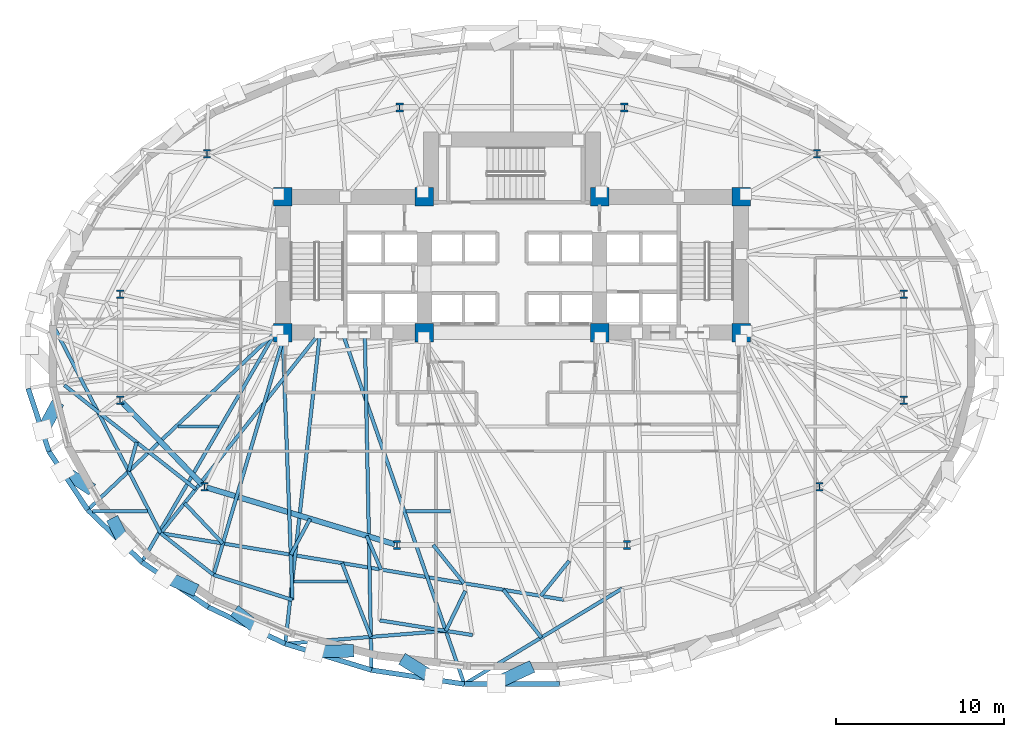
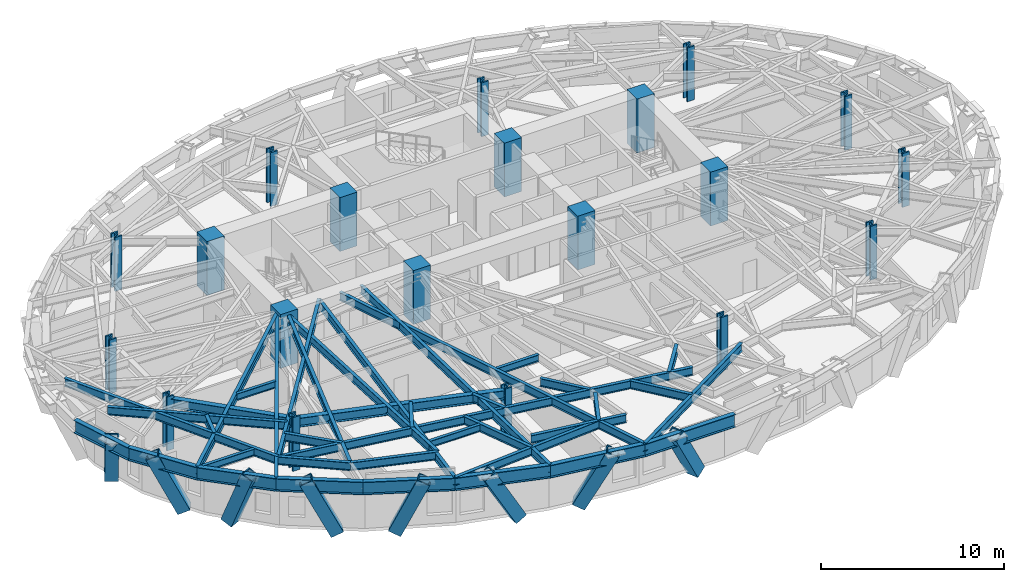
# One storey, part 1 of 14: 39 beams, 20 columns, 8 members.
"""IFC4 building model written with IfcOpenShell, lengths in metres."""

import ifcopenshell
import ifcopenshell.guid

model = None  # the IFC model being written
_history = None  # IfcOwnerHistory: only IFC2X3 demands one
_inside = {}  # id of a spatial element -> (the spatial element, [elements in it])
_under = {}  # id of a project, library or spatial element -> (it, [spatial elements below it])
_declared = {}  # id of a project -> (the project, [libraries it declares])
_typed = {}  # id of a type object -> (the type object, [elements of that type])
_made_of = {}  # id of a material, layer set ... -> (it, [elements and type objects made of it])


def new_model(schema):
    """Start an empty IFC model of exactly this schema.

    Asked for "IFC4X3", IfcOpenShell would pick the latest addendum, in which some entities
    have other attributes; the version numbers below select the first issue.
    IFC2X3 requires an IfcOwnerHistory on every rooted entity: one is made here for all.
    """
    global model, _history
    if schema == "IFC4X3":
        model = ifcopenshell.file(schema_version=(4, 3, 0, 0))
    else:
        model = ifcopenshell.file(schema=schema)
    _inside.clear()
    _under.clear()
    _declared.clear()
    _typed.clear()
    _made_of.clear()
    _history = None
    if model.schema == "IFC2X3":
        org = make("IfcOrganization", Name="unknown")
        user = make(
            "IfcPersonAndOrganization",
            ThePerson=make("IfcPerson", FamilyName="unknown"),
            TheOrganization=org,
        )
        app = make(
            "IfcApplication",
            ApplicationDeveloper=org,
            Version="unknown",
            ApplicationFullName="unknown",
            ApplicationIdentifier="unknown",
        )
        _history = make(
            "IfcOwnerHistory",
            OwningUser=user,
            OwningApplication=app,
            ChangeAction="ADDED",
            CreationDate=0,
        )
    return model


def make(cls, **values):
    """One entity of the class cls with the attributes given. An attribute that is None is left unset."""
    return model.create_entity(
        cls, **{name: value for name, value in values.items() if value is not None}
    )


def rooted(cls, **values):
    """An entity with a GlobalId (a new one), such as an element, a storey or a relation."""
    return make(cls, GlobalId=ifcopenshell.guid.new(), OwnerHistory=_history, **values)


def si_unit(unit_type, name, prefix=None):
    """IfcSIUnit, for example si_unit("LENGTHUNIT", "METRE", prefix="MILLI")."""
    return make("IfcSIUnit", UnitType=unit_type, Prefix=prefix, Name=name)


def assignment(units):
    """IfcUnitAssignment: the units of a project."""
    return None if units is None else make("IfcUnitAssignment", Units=units)


def point(xyz):
    """IfcCartesianPoint."""
    return None if xyz is None else make("IfcCartesianPoint", Coordinates=xyz)


def direction(xyz):
    """IfcDirection."""
    return None if xyz is None else make("IfcDirection", DirectionRatios=xyz)


def frame(location, z_axis=None, x_axis=None):
    """IfcAxis2Placement3D, a coordinate frame: its origin and axes. An axis left out is left unset."""
    return make(
        "IfcAxis2Placement3D",
        Location=point(location),
        Axis=direction(z_axis),
        RefDirection=direction(x_axis),
    )


def frame_2d(location, x_axis=None):
    """IfcAxis2Placement2D, a coordinate frame in the plane: its origin and x axis."""
    return make(
        "IfcAxis2Placement2D", Location=point(location), RefDirection=direction(x_axis)
    )


def origin():
    """The frame at (0, 0, 0) with its axes left unset."""
    return frame((0.0, 0.0, 0.0))


def origin_2d():
    """The frame at (0, 0) in the plane with its x axis left unset."""
    return frame_2d((0.0, 0.0))


def place(relative_to, where):
    """IfcLocalPlacement: puts the frame where relative to a parent placement (None: the world)."""
    return make(
        "IfcLocalPlacement", PlacementRelTo=relative_to, RelativePlacement=where
    )


def context(
    kind, dimensions, precision=None, world=None, true_north=None, identifier=None
):
    """IfcGeometricRepresentationContext, for example the 3D "Model" context."""
    return make(
        "IfcGeometricRepresentationContext",
        ContextIdentifier=identifier,
        ContextType=kind,
        CoordinateSpaceDimension=dimensions,
        Precision=precision,
        WorldCoordinateSystem=world,
        TrueNorth=true_north,
    )


def subcontext(parent, identifier, kind, view, scale=None):
    """IfcGeometricRepresentationSubContext, for example "Body" below "Model"."""
    return make(
        "IfcGeometricRepresentationSubContext",
        ContextIdentifier=identifier,
        ContextType=kind,
        ParentContext=parent,
        TargetScale=scale,
        TargetView=view,
    )


def project(units=None, contexts=None):
    """IfcProject with its units and contexts."""
    return rooted(
        "IfcProject",
        Name="project",
        RepresentationContexts=contexts,
        UnitsInContext=assignment(units),
    )


def spatial(cls, under=None, at=None, **own):
    """A site, building, storey or space (cls), placed at a placement, below another one or the project."""
    s = rooted(cls, ObjectPlacement=at, **own)
    if under is not None:
        _under.setdefault(under.id(), (under, []))[1].append(s)
    return s


def profile(cls, at=None, kind="AREA", **sizes):
    """A parametric profile (cls). Its sizes go by their IFC names, for example OverallWidth=200.0."""
    return make(cls, ProfileType=kind, Position=at, **sizes)


def rectangle(**sizes):
    """IfcRectangleProfileDef."""
    return profile("IfcRectangleProfileDef", **sizes)


def hollow_rectangle(**sizes):
    """IfcRectangleHollowProfileDef."""
    return profile("IfcRectangleHollowProfileDef", **sizes)


def i_section(**sizes):
    """IfcIShapeProfileDef."""
    return profile("IfcIShapeProfileDef", **sizes)


def extrude(swept, where, along, depth):
    """IfcExtrudedAreaSolid: the profile swept, set in the frame where, extruded along a direction by depth."""
    return make(
        "IfcExtrudedAreaSolid",
        SweptArea=swept,
        Position=where,
        ExtrudedDirection=direction(along),
        Depth=depth,
    )


def shape(context_of_items, identifier, shape_type, items):
    """IfcShapeRepresentation: the items that make up one representation, for example the "Body"."""
    return make(
        "IfcShapeRepresentation",
        ContextOfItems=context_of_items,
        RepresentationIdentifier=identifier,
        RepresentationType=shape_type,
        Items=items,
    )


def material(Name=None, Category=None):
    """IfcMaterial."""
    return make("IfcMaterial", Name=Name, Category=Category)


def material_profile(
    of_material, cross_section, Name=None, Category=None, Priority=None
):
    """IfcMaterialProfile: a cross section and its material."""
    return make(
        "IfcMaterialProfile",
        Name=Name,
        Material=of_material,
        Profile=cross_section,
        Priority=Priority,
        Category=Category,
    )


def profile_set(profiles, Name=None, composite=None):
    """IfcMaterialProfileSet."""
    return make(
        "IfcMaterialProfileSet",
        Name=Name,
        MaterialProfiles=profiles,
        CompositeProfile=composite,
    )


def made_of(thing, what):
    """Note that an element or type object is made of a material, layer set ...; save() writes the relation."""
    if what is not None:
        _made_of.setdefault(what.id(), (what, []))[1].append(thing)
    return thing


def type_object(cls, material=None, **own):
    """A type object (cls), such as IfcWallType, which elements share."""
    return made_of(rooted(cls, **own), material)


def element(
    cls,
    number,
    at=None,
    inside=None,
    cuts=None,
    type_object=None,
    material=None,
    context=None,
    identifier="Body",
    shape_type=None,
    held_by="IfcProductDefinitionShape",
    body=None,
    shapes=None,
    **own,
):
    """One element of the class cls, such as IfcWall. Its Tag is "e" and its number.

    at: its placement. inside: the storey or other place that contains it. cuts: it is an
    opening in that element (IfcRelVoidsElement). A single representation is given by context,
    identifier, shape_type and body (its items); several are given by shapes. held_by: the class
    of the entity that holds the representations. save() writes the other relations.
    """
    e = rooted(cls, Tag="e%d" % number, ObjectPlacement=at, **own)
    if body is not None:
        shapes = [shape(context, identifier, shape_type, body)]
    if shapes is not None:
        e.Representation = make(held_by, Representations=shapes)
    if inside is not None:
        _inside.setdefault(inside.id(), (inside, []))[1].append(e)
    if cuts is not None:
        rooted(
            "IfcRelVoidsElement", RelatingBuildingElement=cuts, RelatedOpeningElement=e
        )
    if type_object is not None:
        _typed.setdefault(type_object.id(), (type_object, []))[1].append(e)
    return made_of(e, material)


def aggregate(whole, parts):
    """IfcRelAggregates: a whole, such as a stair, and the parts it consists of."""
    return rooted("IfcRelAggregates", RelatingObject=whole, RelatedObjects=parts)


def save(model, path):
    """Write the relations noted so far, then the file.

    IfcRelAggregates (storeys below a building ...), IfcRelContainedInSpatialStructure (elements
    in a storey), IfcRelDefinesByType, IfcRelAssociatesMaterial and IfcRelDeclares: one each for
    every whole, place, type object, material and project.
    """
    for whole, parts in _under.values():
        aggregate(whole, parts)
    for where, things in _inside.values():
        rooted(
            "IfcRelContainedInSpatialStructure",
            RelatedElements=things,
            RelatingStructure=where,
        )
    for kind, things in _typed.values():
        rooted("IfcRelDefinesByType", RelatedObjects=things, RelatingType=kind)
    for what, things in _made_of.values():
        rooted("IfcRelAssociatesMaterial", RelatedObjects=things, RelatingMaterial=what)
    for by, libraries in _declared.values():
        rooted("IfcRelDeclares", RelatingContext=by, RelatedDefinitions=libraries)
    model.write(path)


model = new_model("IFC4")

# Units and contexts
model_context = context("Model", 3, precision=1e-05, world=origin(), true_north=direction((0.0, 1.0)))
body_context = subcontext(model_context, "Body", "Model", "MODEL_VIEW")
ifc_project = project(units=[si_unit("LENGTHUNIT", "METRE"), si_unit("AREAUNIT", "SQUARE_METRE"), si_unit("VOLUMEUNIT", "CUBIC_METRE"), si_unit("PLANEANGLEUNIT", "RADIAN"), si_unit("MASSUNIT", "GRAM", prefix="KILO")], contexts=[model_context])

# Site, building, storey
site_placement = place(None, origin())
site = spatial("IfcSite", under=ifc_project, at=site_placement, CompositionType="ELEMENT")
building_placement = place(site_placement, origin())
building = spatial("IfcBuilding", under=site, at=building_placement, Name="Keldmark Tower", CompositionType="ELEMENT")
storey_placement = place(building_placement, frame((0.0, 0.0, 52.199951171875)))
storey = spatial("IfcBuildingStorey", under=building, at=storey_placement, Name="L13", CompositionType="ELEMENT", Elevation=52.199951171875)

# Columns
ifc_material_1 = material(Name="Concrete C70/85", Category="concrete")
ifc_material_profile_1 = material_profile(ifc_material_1, rectangle(XDim=1.10009765625, YDim=1.10009765625, at=origin_2d()), Name="RC1100X1100")
ifc_profile_set_1 = profile_set([ifc_material_profile_1], Name="Concrete C70/85")
column_type_1 = type_object("IfcColumnType", Name="Core Boundary Column RC1100", PredefinedType="COLUMN", material=ifc_profile_set_1)
for number, where, z_axis, x_axis, name in (
    (1, (-13.60009765625, 1.39990234375, 0.0), (0.0, 0.0, 1.0), (1.0, 0.0, 0.0), "L13 Core Boundary Column CC-W1"),
    (2, (-13.60009765625, 9.449951171875, 0.0), (0.0, 0.0, 1.0), (1.0, 0.0, 0.0), "L13 Core Boundary Column CC-W2"),
    (3, (-5.199951171875, 1.39990234375, 0.0), (0.0, 0.0, 1.0), (1.0, 0.0, 0.0), "L13 Core Boundary Column CC-W3"),
    (4, (-5.199951171875, 9.449951171875, 0.0), (0.0, 0.0, 1.0), (1.0, 0.0, 0.0), "L13 Core Boundary Column CC-W4"),
    (5, (5.199951171875, 1.39990234375, 0.0), (0.0, 0.0, 1.0), (1.0, 0.0, 0.0), "L13 Core Boundary Column CC-E1"),
    (6, (5.199951171875, 9.449951171875, 0.0), (0.0, 0.0, 1.0), (1.0, 0.0, 0.0), "L13 Core Boundary Column CC-E2"),
    (7, (13.60009765625, 1.39990234375, 0.0), (0.0, 0.0, 1.0), (1.0, 0.0, 0.0), "L13 Core Boundary Column CC-E3"),
    (8, (13.60009765625, 9.449951171875, 0.0), (0.0, 0.0, 1.0), (1.0, 0.0, 0.0), "L13 Core Boundary Column CC-E4"),
):
    element("IfcColumn", number, at=place(storey_placement, frame(where, z_axis=z_axis, x_axis=x_axis)), inside=storey, type_object=column_type_1, Name=name, PredefinedType="COLUMN", context=body_context, shape_type="SweptSolid", body=[
        extrude(rectangle(XDim=1.10009765625, YDim=1.10009765625, at=origin_2d()), origin(), (0.0, 0.0, 1.0), 3.60009765625),
    ])
ifc_material_2 = material(Name="Steel ASTM A992 Grade 50", Category="steel")
ifc_material_profile_2 = material_profile(ifc_material_2, i_section(OverallWidth=0.43701171875, OverallDepth=0.513916015625, WebThickness=0.060546875, FlangeThickness=0.096923828125, at=origin_2d()), Name="W14X550")
ifc_profile_set_2 = profile_set([ifc_material_profile_2], Name="Steel ASTM A992 Grade 50")
column_type_2 = type_object("IfcColumnType", Name="Tower Gravity Column W14X550", PredefinedType="COLUMN", material=ifc_profile_set_2)
for number, where, z_axis, x_axis, name in (
    (9, (23.25390625, 3.67724609375, 0.0), (0.0, 0.0, 1.0), (1.0, 0.0, 0.0), "L13 Tower Gravity Column TC-E1"),
    (10, (18.09765625, 12.00732421875, 0.0), (0.0, 0.0, 1.0), (1.0, 0.0, 0.0), "L13 Tower Gravity Column TC-E4"),
    (11, (6.6650390625, 14.760009765625, 0.0), (0.0, 0.0, 1.0), (1.0, 0.0, 0.0), "L13 Tower Gravity Column TC-N2"),
    (12, (-6.6650390625, 14.760009765625, 0.0), (0.0, 0.0, 1.0), (1.0, 0.0, 0.0), "L13 Tower Gravity Column TC-N1"),
    (13, (-18.09765625, 12.00732421875, 0.0), (0.0, 0.0, 1.0), (1.0, 0.0, 0.0), "L13 Tower Gravity Column TC-W4"),
    (14, (-23.25390625, 3.67724609375, 0.0), (0.0, 0.0, 1.0), (1.0, 0.0, 0.0), "L13 Tower Gravity Column TC-W1"),
    (15, (-23.25390625, -2.61328125, 0.0), (0.0, 0.0, 1.0), (1.0, 0.0, 0.0), "L13 Tower Gravity Column TC-W5"),
    (16, (-18.252685546875, -7.755615234375, 0.0), (0.0, 0.0, 1.0), (1.0, 0.0, 0.0), "L13 Tower Gravity Column TC-W2"),
    (17, (-6.822021484375, -11.205810546875, 0.0), (0.0, 0.0, 1.0), (1.0, 0.0, 0.0), "L13 Tower Gravity Column TC-W3"),
    (18, (6.822021484375, -11.205810546875, 0.0), (0.0, 0.0, 1.0), (1.0, 0.0, 0.0), "L13 Tower Gravity Column TC-E3"),
    (19, (18.252685546875, -7.755615234375, 0.0), (0.0, 0.0, 1.0), (1.0, 0.0, 0.0), "L13 Tower Gravity Column TC-E2"),
    (20, (23.25390625, -2.61328125, 0.0), (0.0, 0.0, 1.0), (1.0, 0.0, 0.0), "L13 Tower Gravity Column TC-E5"),
):
    element("IfcColumn", number, at=place(storey_placement, frame(where, z_axis=z_axis, x_axis=x_axis)), inside=storey, type_object=column_type_2, Name=name, PredefinedType="COLUMN", context=body_context, shape_type="SweptSolid", body=[
        extrude(i_section(OverallWidth=0.43701171875, OverallDepth=0.513916015625, WebThickness=0.060546875, FlangeThickness=0.096923828125, at=origin_2d()), origin(), (0.0, 0.0, 1.0), 3.60009765625),
    ])

# Beams
ifc_material_3 = material(Name="Steel ASTM A992 Grade 50", Category="steel")
ifc_material_profile_3 = material_profile(ifc_material_3, i_section(OverallWidth=0.19091796875, OverallDepth=0.45703125, WebThickness=0.009033203125, FlangeThickness=0.014404296875, at=origin_2d()), Name="W18X50")
ifc_profile_set_3 = profile_set([ifc_material_profile_3], Name="Steel ASTM A992 Grade 50")
beam_type_1 = type_object("IfcBeamType", Name="Composite Floor Joist W18X50", PredefinedType="JOIST", material=ifc_profile_set_3)
beam_1_placement = place(storey_placement, frame((-12.948486328125, -13.3798828125, 3.171630859375), z_axis=(1.0, 0.0, 0.0), x_axis=(0.0, 1.0, 0.0)))
element("IfcBeam", 21, at=beam_1_placement, inside=storey, type_object=beam_type_1, Name="L13 Composite Floor Joist J01", PredefinedType="JOIST", context=body_context, shape_type="SweptSolid", body=[
    extrude(i_section(OverallWidth=0.19091796875, OverallDepth=0.45703125, WebThickness=0.009033203125, FlangeThickness=0.014404296875, at=origin_2d()), origin(), (0.0, 0.0, 1.0), 3.189697265625),
])
beam_2_placement = place(storey_placement, frame((-24.8974609375, -9.199951171875, 3.171630859375), z_axis=(1.0, 0.0, 0.0), x_axis=(0.0, 1.0, 0.0)))
element("IfcBeam", 22, at=beam_2_placement, inside=storey, type_object=beam_type_1, Name="L13 Composite Floor Joist J03", PredefinedType="JOIST", context=body_context, shape_type="SweptSolid", body=[
    extrude(i_section(OverallWidth=0.19091796875, OverallDepth=0.45703125, WebThickness=0.009033203125, FlangeThickness=0.014404296875, at=origin_2d()), origin(), (0.0, 0.0, 1.0), 3.263916015625),
])
beam_3_placement = place(storey_placement, frame((-6.2861328125, -9.199951171875, 3.171630859375), z_axis=(1.0, 0.0, 0.0), x_axis=(0.0, 1.0, 0.0)))
element("IfcBeam", 23, at=beam_3_placement, inside=storey, type_object=beam_type_1, Name="L13 Composite Floor Joist J04", PredefinedType="JOIST", context=body_context, shape_type="SweptSolid", body=[
    extrude(i_section(OverallWidth=0.19091796875, OverallDepth=0.45703125, WebThickness=0.009033203125, FlangeThickness=0.014404296875, at=origin_2d()), origin(), (0.0, 0.0, 1.0), 2.643310546875),
])
beam_4_placement = place(storey_placement, frame((-19.80859375, -4.179931640625, 3.171630859375), z_axis=(1.0, 0.0, 0.0), x_axis=(0.0, 1.0, 0.0)))
element("IfcBeam", 24, at=beam_4_placement, inside=storey, type_object=beam_type_1, Name="L13 Composite Floor Joist J07", PredefinedType="JOIST", context=body_context, shape_type="SweptSolid", body=[
    extrude(i_section(OverallWidth=0.19091796875, OverallDepth=0.45703125, WebThickness=0.009033203125, FlangeThickness=0.014404296875, at=origin_2d()), origin(), (0.0, 0.0, 1.0), 2.404296875),
])

# Members
ifc_material_4 = material(Name="Steel ASTM A572 Grade 50", Category="steel")
ifc_material_profile_4 = material_profile(ifc_material_4, hollow_rectangle(XDim=0.75, YDim=0.75, WallThickness=0.06494140625, at=origin_2d()), Name="BOX750X750X65")
ifc_profile_set_4 = profile_set([ifc_material_profile_4], Name="Steel ASTM A572 Grade 50")
member_type = type_object("IfcMemberType", Name="Diagrid Lower Brace BOX750X750X65", PredefinedType="BRACE", material=ifc_profile_set_4)
member_1_placement = place(storey_placement, frame((-27.096923828125, -3.034423828125, -0.280029296875), z_axis=(-0.189536381637, -0.351789582634, 0.916689723727), x_axis=(0.880354888645, -0.474315580641, 0.0)))
element("IfcMember", 25, at=member_1_placement, inside=storey, type_object=member_type, Name="L13 Perimeter Diagrid Brace 09A", PredefinedType="BRACE", context=body_context, shape_type="SweptSolid", body=[
    extrude(hollow_rectangle(XDim=0.75, YDim=0.75, WallThickness=0.06494140625, at=origin_2d()), origin(), (0.0, 0.0, 1.0), 3.883544921875),
])
member_2_placement = place(storey_placement, frame((-25.1943359375, -7.742919921875, -0.280029296875), z_axis=(-0.368803550198, 0.240101025584, 0.897961824843), x_axis=(-0.545593185279, -0.838050163282, 0.0)))
element("IfcMember", 26, at=member_2_placement, inside=storey, type_object=member_type, Name="L13 Perimeter Diagrid Brace 09B", PredefinedType="BRACE", context=body_context, shape_type="SweptSolid", body=[
    extrude(hollow_rectangle(XDim=0.75, YDim=0.75, WallThickness=0.06494140625, at=origin_2d()), origin(), (0.0, 0.0, 1.0), 3.964599609375),
])
member_3_placement = place(storey_placement, frame((-23.576904296875, -9.93115234375, -0.280029296875), z_axis=(0.155865611228, -0.322105186721, 0.933784857408), x_axis=(0.900150197783, 0.43557963845, 0.0)))
element("IfcMember", 27, at=member_3_placement, inside=storey, type_object=member_type, Name="L13 Perimeter Diagrid Brace 10A", PredefinedType="BRACE", context=body_context, shape_type="SweptSolid", body=[
    extrude(hollow_rectangle(XDim=0.75, YDim=0.75, WallThickness=0.06494140625, at=origin_2d()), origin(), (0.0, 0.0, 1.0), 3.8125),
])
member_4_placement = place(storey_placement, frame((-19.035400390625, -13.769775390625, -0.280029296875), z_axis=(-0.397182424478, 0.176573558013, 0.900593082528), x_axis=(-0.406230748204, -0.913770528751, 0.0)))
element("IfcMember", 28, at=member_4_placement, inside=storey, type_object=member_type, Name="L13 Perimeter Diagrid Brace 10B", PredefinedType="BRACE", context=body_context, shape_type="SweptSolid", body=[
    extrude(hollow_rectangle(XDim=0.75, YDim=0.75, WallThickness=0.06494140625, at=origin_2d()), origin(), (0.0, 0.0, 1.0), 3.953125),
])
member_5_placement = place(storey_placement, frame((-16.2041015625, -15.302490234375, -0.280029296875), z_axis=(0.323129547502, -0.254240253374, 0.911564144258), x_axis=(0.618351877126, 0.785901365347, 0.0)))
element("IfcMember", 29, at=member_5_placement, inside=storey, type_object=member_type, Name="L13 Perimeter Diagrid Brace 11A", PredefinedType="BRACE", context=body_context, shape_type="SweptSolid", body=[
    extrude(hollow_rectangle(XDim=0.75, YDim=0.75, WallThickness=0.06494140625, at=origin_2d()), origin(), (0.0, 0.0, 1.0), 3.905517578125),
])
member_6_placement = place(storey_placement, frame((-9.722900390625, -17.493896484375, -0.280029296875), z_axis=(-0.489628303368, -0.010164465939, 0.871872013642), x_axis=(0.020755083686, -0.99978459005, 0.0)))
element("IfcMember", 30, at=member_6_placement, inside=storey, type_object=member_type, Name="L13 Perimeter Diagrid Brace 11B", PredefinedType="BRACE", context=body_context, shape_type="SweptSolid", body=[
    extrude(hollow_rectangle(XDim=0.75, YDim=0.75, WallThickness=0.06494140625, at=origin_2d()), origin(), (0.0, 0.0, 1.0), 4.083251953125),
])
member_7_placement = place(storey_placement, frame((-6.251220703125, -18.134765625, -0.280029296875), z_axis=(0.398182214042, -0.246773608915, 0.883489507784), x_axis=(0.526786444892, 0.849997671454, 0.0)))
element("IfcMember", 31, at=member_7_placement, inside=storey, type_object=member_type, Name="L13 Perimeter Diagrid Brace 12A", PredefinedType="BRACE", context=body_context, shape_type="SweptSolid", body=[
    extrude(hollow_rectangle(XDim=0.75, YDim=0.75, WallThickness=0.06494140625, at=origin_2d()), origin(), (0.0, 0.0, 1.0), 4.029541015625),
])
member_8_placement = place(storey_placement, frame((0.90771484375, -18.551513671875, -0.280029296875), z_axis=(-0.449940168871, -0.208264827339, 0.868435147913), x_axis=(0.420055790164, -0.907498282725, 0.0)))
element("IfcMember", 32, at=member_8_placement, inside=storey, type_object=member_type, Name="L13 Perimeter Diagrid Brace 12B", PredefinedType="BRACE", context=body_context, shape_type="SweptSolid", body=[
    extrude(hollow_rectangle(XDim=0.75, YDim=0.75, WallThickness=0.06494140625, at=origin_2d()), origin(), (0.0, 0.0, 1.0), 4.099365234375),
])

# Beams
ifc_material_5 = material(Name="Steel ASTM A992 Grade 50", Category="steel")
ifc_material_profile_5 = material_profile(ifc_material_5, i_section(OverallWidth=0.323974609375, OverallDepth=0.611083984375, WebThickness=0.0126953125, FlangeThickness=0.01904296875, at=origin_2d()), Name="W24X104")
ifc_profile_set_5 = profile_set([ifc_material_profile_5], Name="Steel ASTM A992 Grade 50")
beam_type_2 = type_object("IfcBeamType", Name="Primary Floor Girder W24X104", PredefinedType="BEAM", material=ifc_profile_set_5)
beam_5_placement = place(storey_placement, frame((-23.156494140625, -2.713623046875, 3.094482421875), z_axis=(0.697210382268, -0.716866572563, 0.0), x_axis=(0.716866572563, 0.697210382268, 0.0)))
element("IfcBeam", 33, at=beam_5_placement, inside=storey, type_object=beam_type_2, Name="L13 Floor Ring Girder FG-R07", PredefinedType="BEAM", context=body_context, shape_type="SweptSolid", body=[
    extrude(i_section(OverallWidth=0.323974609375, OverallDepth=0.611083984375, WebThickness=0.0126953125, FlangeThickness=0.01904296875, at=origin_2d()), origin(), (0.0, 0.0, 1.0), 6.893310546875),
])
beam_6_placement = place(storey_placement, frame((-18.118896484375, -7.796142578125, 3.094482421875), z_axis=(0.957346071406, -0.2889437654, 0.0), x_axis=(0.2889437654, 0.957346071406, 0.0)))
element("IfcBeam", 34, at=beam_6_placement, inside=storey, type_object=beam_type_2, Name="L13 Floor Ring Girder FG-R08", PredefinedType="BEAM", context=body_context, shape_type="SweptSolid", body=[
    extrude(i_section(OverallWidth=0.323974609375, OverallDepth=0.611083984375, WebThickness=0.0126953125, FlangeThickness=0.01904296875, at=origin_2d()), origin(), (0.0, 0.0, 1.0), 11.66015625),
])
ifc_material_6 = material(Name="Steel ASTM A992 Grade 50", Category="steel")
ifc_material_profile_6 = material_profile(ifc_material_6, i_section(OverallWidth=0.2099609375, OverallDepth=0.537109375, WebThickness=0.010986328125, FlangeThickness=0.017333984375, at=origin_2d()), Name="W21X68")
ifc_profile_set_6 = profile_set([ifc_material_profile_6], Name="Steel ASTM A992 Grade 50")
beam_type_3 = type_object("IfcBeamType", Name="Radial Tie Girder W21X68", PredefinedType="BEAM", material=ifc_profile_set_6)
beam_7_placement = place(storey_placement, frame((-26.56787109375, -1.71875, 3.131591796875), z_axis=(0.78443948203, -0.620205368433, 0.0), x_axis=(0.620205368433, 0.78443948203, 0.0)))
element("IfcBeam", 35, at=beam_7_placement, inside=storey, type_object=beam_type_3, Name="L13 Framing Pin Header PH-011", PredefinedType="BEAM", context=body_context, shape_type="SweptSolid", body=[
    extrude(i_section(OverallWidth=0.2099609375, OverallDepth=0.537109375, WebThickness=0.010986328125, FlangeThickness=0.017333984375, at=origin_2d()), origin(), (0.0, 0.0, 1.0), 9.943359375),
])
beam_8_placement = place(storey_placement, frame((-11.392822265625, 1.39990234375, 3.131591796875), z_axis=(-0.621938037877, -0.783066457615, 0.0), x_axis=(0.783066457615, -0.621938037877, 0.0)))
element("IfcBeam", 36, at=beam_8_placement, inside=storey, type_object=beam_type_3, Name="L13 Sub-Ring Step Girder STP2-M08", PredefinedType="BEAM", context=body_context, shape_type="SweptSolid", body=[
    extrude(i_section(OverallWidth=0.2099609375, OverallDepth=0.537109375, WebThickness=0.010986328125, FlangeThickness=0.017333984375, at=origin_2d()), origin(), (0.0, 0.0, 1.0), 15.205078125),
])
beam_9_placement = place(storey_placement, frame((-27.219970703125, 1.81640625, 3.131591796875), z_axis=(0.459231876717, -0.888316432026, 0.0), x_axis=(0.888316432026, 0.459231876717, 0.0)))
element("IfcBeam", 37, at=beam_9_placement, inside=storey, type_object=beam_type_3, Name="L13 Perimeter Collector Ring Beam CRG2-M07", PredefinedType="BEAM", context=body_context, shape_type="SweptSolid", body=[
    extrude(i_section(OverallWidth=0.2099609375, OverallDepth=0.537109375, WebThickness=0.010986328125, FlangeThickness=0.017333984375, at=origin_2d()), origin(), (0.0, 0.0, 1.0), 13.872314453125),
])
beam_10_placement = place(storey_placement, frame((-20.849365234375, -10.506591796875, 3.131591796875), z_axis=(0.98664851794, -0.162864060025, 0.0), x_axis=(0.162864060025, 0.98664851794, 0.0)))
element("IfcBeam", 38, at=beam_10_placement, inside=storey, type_object=beam_type_3, Name="L13 Perimeter Collector Ring Beam CRG2-M08", PredefinedType="BEAM", context=body_context, shape_type="SweptSolid", body=[
    extrude(i_section(OverallWidth=0.2099609375, OverallDepth=0.537109375, WebThickness=0.010986328125, FlangeThickness=0.017333984375, at=origin_2d()), origin(), (0.0, 0.0, 1.0), 24.24853515625),
])
beam_11_placement = place(storey_placement, frame((-22.27783203125, -5.110595703125, 3.131591796875), z_axis=(-0.265551368459, -0.964096712322, 0.0), x_axis=(0.964096712322, -0.265551368459, 0.0)))
element("IfcBeam", 39, at=beam_11_placement, inside=storey, type_object=beam_type_3, Name="L13 Framing Pin Header PH-028", PredefinedType="BEAM", context=body_context, shape_type="SweptSolid", body=[
    extrude(i_section(OverallWidth=0.2099609375, OverallDepth=0.537109375, WebThickness=0.010986328125, FlangeThickness=0.017333984375, at=origin_2d()), origin(), (0.0, 0.0, 1.0), 1.78173828125),
])
beam_12_placement = place(storey_placement, frame((-14.050048828125, 1.39990234375, 3.131591796875), z_axis=(-0.726566922466, -0.687095704526, 0.0), x_axis=(0.687095704526, -0.726566922466, 0.0)))
element("IfcBeam", 40, at=beam_12_placement, inside=storey, type_object=beam_type_3, Name="L13 Perimeter Radial Tie Girder RT-19", PredefinedType="BEAM", context=body_context, shape_type="SweptSolid", body=[
    extrude(i_section(OverallWidth=0.2099609375, OverallDepth=0.537109375, WebThickness=0.010986328125, FlangeThickness=0.017333984375, at=origin_2d()), origin(), (0.0, 0.0, 1.0), 15.314697265625),
])
beam_13_placement = place(storey_placement, frame((-14.050048828125, 1.39990234375, 3.131591796875), z_axis=(-0.502438345356, -0.864613040103, 0.0), x_axis=(0.864613040103, -0.502438345356, 0.0)))
element("IfcBeam", 41, at=beam_13_placement, inside=storey, type_object=beam_type_3, Name="L13 Perimeter Radial Tie Girder RT-20", PredefinedType="BEAM", context=body_context, shape_type="SweptSolid", body=[
    extrude(i_section(OverallWidth=0.2099609375, OverallDepth=0.537109375, WebThickness=0.010986328125, FlangeThickness=0.017333984375, at=origin_2d()), origin(), (0.0, 0.0, 1.0), 15.752197265625),
])
beam_14_placement = place(storey_placement, frame((-19.430908203125, -8.720458984375, 3.131591796875), z_axis=(0.688029798718, -0.72568243473, 0.0), x_axis=(0.72568243473, 0.688029798718, 0.0)))
element("IfcBeam", 42, at=beam_14_placement, inside=storey, type_object=beam_type_3, Name="L13 Framing Pin Header PH-029", PredefinedType="BEAM", context=body_context, shape_type="SweptSolid", body=[
    extrude(i_section(OverallWidth=0.2099609375, OverallDepth=0.537109375, WebThickness=0.010986328125, FlangeThickness=0.017333984375, at=origin_2d()), origin(), (0.0, 0.0, 1.0), 3.30029296875),
])
beam_15_placement = place(storey_placement, frame((-13.60009765625, 0.949951171875, 3.131591796875), z_axis=(-0.282996939789, -0.95912081203, 0.0), x_axis=(0.95912081203, -0.282996939789, 0.0)))
element("IfcBeam", 43, at=beam_15_placement, inside=storey, type_object=beam_type_3, Name="L13 Intermediate Radial Step Girder RT-21M", PredefinedType="BEAM", context=body_context, shape_type="SweptSolid", body=[
    extrude(i_section(OverallWidth=0.2099609375, OverallDepth=0.537109375, WebThickness=0.010986328125, FlangeThickness=0.017333984375, at=origin_2d()), origin(), (0.0, 0.0, 1.0), 14.52685546875),
])
beam_16_placement = place(storey_placement, frame((-20.849365234375, -10.506591796875, 3.131591796875), z_axis=(0.78499843121, -0.619497750599, 0.0), x_axis=(0.619497750599, 0.78499843121, 0.0)))
element("IfcBeam", 44, at=beam_16_placement, inside=storey, type_object=beam_type_3, Name="L13 Local Collector Chord RT-21C", PredefinedType="BEAM", context=body_context, shape_type="SweptSolid", body=[
    extrude(i_section(OverallWidth=0.2099609375, OverallDepth=0.537109375, WebThickness=0.010986328125, FlangeThickness=0.017333984375, at=origin_2d()), origin(), (0.0, 0.0, 1.0), 3.997802734375),
])
beam_17_placement = place(storey_placement, frame((-11.979248046875, -9.649169921875, 3.131591796875), z_axis=(-0.474346298599, -0.880338337803, 0.0), x_axis=(0.880338337803, -0.474346298599, 0.0)))
element("IfcBeam", 45, at=beam_17_placement, inside=storey, type_object=beam_type_3, Name="L13 Framing Pin Header PH-030", PredefinedType="BEAM", context=body_context, shape_type="SweptSolid", body=[
    extrude(i_section(OverallWidth=0.2099609375, OverallDepth=0.537109375, WebThickness=0.010986328125, FlangeThickness=0.017333984375, at=origin_2d()), origin(), (0.0, 0.0, 1.0), 2.421630859375),
])
beam_18_placement = place(storey_placement, frame((-13.60009765625, 0.949951171875, 3.131591796875), z_axis=(0.037059652507, -0.999313055131, 0.0), x_axis=(0.999313055131, 0.037059652507, 0.0)))
element("IfcBeam", 46, at=beam_18_placement, inside=storey, type_object=beam_type_3, Name="L13 Intermediate Radial Step Girder RT-22M", PredefinedType="BEAM", context=body_context, shape_type="SweptSolid", body=[
    extrude(i_section(OverallWidth=0.2099609375, OverallDepth=0.537109375, WebThickness=0.010986328125, FlangeThickness=0.017333984375, at=origin_2d()), origin(), (0.0, 0.0, 1.0), 15.428466796875),
])
beam_19_placement = place(storey_placement, frame((-17.711181640625, -12.983154296875, 3.131591796875), z_axis=(0.953227494683, -0.302253773143, 0.0), x_axis=(0.302253773143, 0.953227494683, 0.0)))
element("IfcBeam", 47, at=beam_19_placement, inside=storey, type_object=beam_type_3, Name="L13 Local Collector Chord RT-22C", PredefinedType="BEAM", context=body_context, shape_type="SweptSolid", body=[
    extrude(i_section(OverallWidth=0.2099609375, OverallDepth=0.537109375, WebThickness=0.010986328125, FlangeThickness=0.017333984375, at=origin_2d()), origin(), (0.0, 0.0, 1.0), 4.91259765625),
])
beam_20_placement = place(storey_placement, frame((-11.392822265625, 1.39990234375, 3.131591796875), z_axis=(-0.111109236073, -0.993808199634, 0.0), x_axis=(0.993808199634, -0.111109236073, 0.0)))
element("IfcBeam", 48, at=beam_20_placement, inside=storey, type_object=beam_type_3, Name="L13 Perimeter Radial Tie Girder RT-22", PredefinedType="BEAM", context=body_context, shape_type="SweptSolid", body=[
    extrude(i_section(OverallWidth=0.2099609375, OverallDepth=0.537109375, WebThickness=0.010986328125, FlangeThickness=0.017333984375, at=origin_2d()), origin(), (0.0, 0.0, 1.0), 18.58251953125),
])
beam_21_placement = place(storey_placement, frame((-8.630615234375, -10.659912109375, 3.131591796875), z_axis=(0.393797741903, -0.919197116223, 0.0), x_axis=(0.919197116223, 0.393797741903, 0.0)))
element("IfcBeam", 49, at=beam_21_placement, inside=storey, type_object=beam_type_3, Name="L13 Framing Pin Header PH-031", PredefinedType="BEAM", context=body_context, shape_type="SweptSolid", body=[
    extrude(i_section(OverallWidth=0.2099609375, OverallDepth=0.537109375, WebThickness=0.010986328125, FlangeThickness=0.017333984375, at=origin_2d()), origin(), (0.0, 0.0, 1.0), 2.181640625),
])
beam_22_placement = place(storey_placement, frame((-4.677490234375, -11.205810546875, 3.131591796875), z_axis=(0.627060196358, -0.778970801856, 0.0), x_axis=(0.778970801856, 0.627060196358, 0.0)))
element("IfcBeam", 50, at=beam_22_placement, inside=storey, type_object=beam_type_3, Name="L13 Framing Pin Header PH-032", PredefinedType="BEAM", context=body_context, shape_type="SweptSolid", body=[
    extrude(i_section(OverallWidth=0.2099609375, OverallDepth=0.537109375, WebThickness=0.010986328125, FlangeThickness=0.017333984375, at=origin_2d()), origin(), (0.0, 0.0, 1.0), 2.9169921875),
])
beam_23_placement = place(storey_placement, frame((-7.849853515625, -15.681396484375, 3.131591796875), z_axis=(0.987700707174, -0.156356365553, 0.0), x_axis=(0.156356365553, 0.987700707174, 0.0)))
element("IfcBeam", 51, at=beam_23_placement, inside=storey, type_object=beam_type_3, Name="L13 Local Collector Chord RT-24C", PredefinedType="BEAM", context=body_context, shape_type="SweptSolid", body=[
    extrude(i_section(OverallWidth=0.2099609375, OverallDepth=0.537109375, WebThickness=0.010986328125, FlangeThickness=0.017333984375, at=origin_2d()), origin(), (0.0, 0.0, 1.0), 5.5712890625),
])
beam_24_placement = place(storey_placement, frame((-2.775146484375, -13.927001953125, 3.131591796875), z_axis=(-0.435594777823, -0.900142871734, 0.0), x_axis=(0.900142871734, -0.435594777823, 0.0)))
element("IfcBeam", 52, at=beam_24_placement, inside=storey, type_object=beam_type_3, Name="L13 Framing Pin Header PH-033", PredefinedType="BEAM", context=body_context, shape_type="SweptSolid", body=[
    extrude(i_section(OverallWidth=0.2099609375, OverallDepth=0.537109375, WebThickness=0.010986328125, FlangeThickness=0.017333984375, at=origin_2d()), origin(), (0.0, 0.0, 1.0), 2.639404296875),
])
beam_25_placement = place(storey_placement, frame((-10.064208984375, 1.39990234375, 3.131591796875), z_axis=(0.327673220798, -0.944791119969, 0.0), x_axis=(0.944791119969, 0.327673220798, 0.0)))
element("IfcBeam", 53, at=beam_25_placement, inside=storey, type_object=beam_type_3, Name="L13 Perimeter Radial Tie Girder RT-24", PredefinedType="BEAM", context=body_context, shape_type="SweptSolid", body=[
    extrude(i_section(OverallWidth=0.2099609375, OverallDepth=0.537109375, WebThickness=0.010986328125, FlangeThickness=0.017333984375, at=origin_2d()), origin(), (0.0, 0.0, 1.0), 22.083984375),
])
beam_26_placement = place(storey_placement, frame((3.394287109375, -12.14501953125, 3.131591796875), z_axis=(-0.628485463064, -0.777821330845, 0.0), x_axis=(0.777821330845, -0.628485463064, 0.0)))
element("IfcBeam", 54, at=beam_26_placement, inside=storey, type_object=beam_type_3, Name="L13 Framing Pin Header PH-034", PredefinedType="BEAM", context=body_context, shape_type="SweptSolid", body=[
    extrude(i_section(OverallWidth=0.2099609375, OverallDepth=0.537109375, WebThickness=0.010986328125, FlangeThickness=0.017333984375, at=origin_2d()), origin(), (0.0, 0.0, 1.0), 2.68115234375),
])
beam_27_placement = place(storey_placement, frame((-13.45751953125, -17.067626953125, 3.131591796875), z_axis=(0.996796337295, 0.079981635116, 0.0), x_axis=(-0.079981635116, 0.996796337295, 0.0)))
element("IfcBeam", 55, at=beam_27_placement, inside=storey, type_object=beam_type_3, Name="L13 Straddling Support Chord RT-23RB", PredefinedType="BEAM", context=body_context, shape_type="SweptSolid", body=[
    extrude(i_section(OverallWidth=0.2099609375, OverallDepth=0.537109375, WebThickness=0.010986328125, FlangeThickness=0.017333984375, at=origin_2d()), origin(), (0.0, 0.0, 1.0), 9.563232421875),
])
beam_28_placement = place(storey_placement, frame((-10.083251953125, -12.28369140625, 3.131591796875), z_axis=(0.363446775175, -0.93161496425, 0.0), x_axis=(0.93161496425, 0.363446775175, 0.0)))
element("IfcBeam", 56, at=beam_28_placement, inside=storey, type_object=beam_type_3, Name="L13 Framing Pin Header PH-045", PredefinedType="BEAM", context=body_context, shape_type="SweptSolid", body=[
    extrude(i_section(OverallWidth=0.2099609375, OverallDepth=0.537109375, WebThickness=0.010986328125, FlangeThickness=0.017333984375, at=origin_2d()), origin(), (0.0, 0.0, 1.0), 4.697509765625),
])
beam_29_placement = place(storey_placement, frame((-8.735595703125, 1.39990234375, 3.131591796875), z_axis=(0.019912436444, -0.999801727781, 0.0), x_axis=(0.999801727781, 0.019912436444, 0.0)))
element("IfcBeam", 57, at=beam_29_placement, inside=storey, type_object=beam_type_3, Name="L13 Perimeter Radial Tie Girder RT-23R", PredefinedType="BEAM", context=body_context, shape_type="SweptSolid", body=[
    extrude(i_section(OverallWidth=0.2099609375, OverallDepth=0.537109375, WebThickness=0.010986328125, FlangeThickness=0.017333984375, at=origin_2d()), origin(), (0.0, 0.0, 1.0), 20.033935546875),
])
beam_30_placement = place(storey_placement, frame((-2.827880859375, -19.46484375, 3.131591796875), z_axis=(0.855420542761, 0.517934064358, 0.0), x_axis=(-0.517934064358, 0.855420542761, 0.0)))
element("IfcBeam", 58, at=beam_30_placement, inside=storey, type_object=beam_type_3, Name="L13 Straddling Support Chord RT-25RB", PredefinedType="BEAM", context=body_context, shape_type="SweptSolid", body=[
    extrude(i_section(OverallWidth=0.2099609375, OverallDepth=0.537109375, WebThickness=0.010986328125, FlangeThickness=0.017333984375, at=origin_2d()), origin(), (0.0, 0.0, 1.0), 10.950927734375),
])
beam_31_placement = place(storey_placement, frame((-0.51318359375, -13.863525390625, 3.131591796875), z_axis=(0.622176334966, -0.78287713481, 0.0), x_axis=(0.78287713481, 0.622176334966, 0.0)))
element("IfcBeam", 59, at=beam_31_placement, inside=storey, type_object=beam_type_3, Name="L13 Framing Pin Header PH-046", PredefinedType="BEAM", context=body_context, shape_type="SweptSolid", body=[
    extrude(i_section(OverallWidth=0.2099609375, OverallDepth=0.537109375, WebThickness=0.010986328125, FlangeThickness=0.017333984375, at=origin_2d()), origin(), (0.0, 0.0, 1.0), 3.621826171875),
])
ifc_material_7 = material(Name="Steel ASTM A992 Grade 50", Category="steel")
ifc_material_profile_7 = material_profile(ifc_material_7, i_section(OverallWidth=0.2919921875, OverallDepth=0.85888671875, WebThickness=0.01708984375, FlangeThickness=0.031005859375, at=origin_2d()), Name="W33X169")
ifc_profile_set_7 = profile_set([ifc_material_profile_7], Name="Steel ASTM A992 Grade 50")
beam_type_4 = type_object("IfcBeamType", Name="Spandrel Ring Beam W33X169", PredefinedType="SPANDREL", material=ifc_profile_set_7)
beam_32_placement = place(storey_placement, frame((-28.713623046875, -1.9169921875, 2.970458984375), z_axis=(0.31317140165, -0.949696621658, 0.0), x_axis=(0.949696621658, 0.31317140165, 0.0)))
element("IfcBeam", 60, at=beam_32_placement, inside=storey, type_object=beam_type_4, Name="L13 Perimeter Spandrel Ring Beam SRB-17", PredefinedType="SPANDREL", context=body_context, shape_type="SweptSolid", body=[
    extrude(i_section(OverallWidth=0.2919921875, OverallDepth=0.85888671875, WebThickness=0.01708984375, FlangeThickness=0.031005859375, at=origin_2d()), origin(), (0.0, 0.0, 1.0), 3.93212890625),
])
beam_33_placement = place(storey_placement, frame((-27.482177734375, -5.6513671875, 2.970458984375), z_axis=(0.553144350008, -0.833085426625, 0.0), x_axis=(0.833085426625, 0.553144350008, 0.0)))
element("IfcBeam", 61, at=beam_33_placement, inside=storey, type_object=beam_type_4, Name="L13 Perimeter Spandrel Ring Beam SRB-18", PredefinedType="SPANDREL", context=body_context, shape_type="SweptSolid", body=[
    extrude(i_section(OverallWidth=0.2919921875, OverallDepth=0.85888671875, WebThickness=0.01708984375, FlangeThickness=0.031005859375, at=origin_2d()), origin(), (0.0, 0.0, 1.0), 4.1669921875),
])
beam_34_placement = place(storey_placement, frame((-25.17724609375, -9.122802734375, 2.970458984375), z_axis=(0.719954614269, -0.694021147656, 0.0), x_axis=(0.694021147656, 0.719954614269, 0.0)))
element("IfcBeam", 62, at=beam_34_placement, inside=storey, type_object=beam_type_4, Name="L13 Perimeter Spandrel Ring Beam SRB-19", PredefinedType="SPANDREL", context=body_context, shape_type="SweptSolid", body=[
    extrude(i_section(OverallWidth=0.2919921875, OverallDepth=0.85888671875, WebThickness=0.01708984375, FlangeThickness=0.031005859375, at=origin_2d()), origin(), (0.0, 0.0, 1.0), 4.46240234375),
])
beam_35_placement = place(storey_placement, frame((-21.964599609375, -12.2197265625, 2.970458984375), z_axis=(0.827723442454, -0.561136260468, 0.0), x_axis=(0.561136260468, 0.827723442454, 0.0)))
element("IfcBeam", 63, at=beam_35_placement, inside=storey, type_object=beam_type_4, Name="L13 Perimeter Spandrel Ring Beam SRB-20", PredefinedType="SPANDREL", context=body_context, shape_type="SweptSolid", body=[
    extrude(i_section(OverallWidth=0.2919921875, OverallDepth=0.85888671875, WebThickness=0.01708984375, FlangeThickness=0.031005859375, at=origin_2d()), origin(), (0.0, 0.0, 1.0), 4.758544921875),
])
beam_36_placement = place(storey_placement, frame((-18.02587890625, -14.889892578125, 2.970458984375), z_axis=(0.902682101727, -0.430308056189, 0.0), x_axis=(0.430308056189, 0.902682101727, 0.0)))
element("IfcBeam", 64, at=beam_36_placement, inside=storey, type_object=beam_type_4, Name="L13 Perimeter Spandrel Ring Beam SRB-21", PredefinedType="SPANDREL", context=body_context, shape_type="SweptSolid", body=[
    extrude(i_section(OverallWidth=0.2919921875, OverallDepth=0.85888671875, WebThickness=0.01708984375, FlangeThickness=0.031005859375, at=origin_2d()), origin(), (0.0, 0.0, 1.0), 5.060791015625),
])
beam_37_placement = place(storey_placement, frame((-13.45751953125, -17.067626953125, 2.970458984375), z_axis=(0.956466543593, -0.291841996615, 0.0), x_axis=(0.291841996615, 0.956466543593, 0.0)))
element("IfcBeam", 65, at=beam_37_placement, inside=storey, type_object=beam_type_4, Name="L13 Perimeter Spandrel Ring Beam SRB-22", PredefinedType="SPANDREL", context=body_context, shape_type="SweptSolid", body=[
    extrude(i_section(OverallWidth=0.2919921875, OverallDepth=0.85888671875, WebThickness=0.01708984375, FlangeThickness=0.031005859375, at=origin_2d()), origin(), (0.0, 0.0, 1.0), 5.35400390625),
])
beam_38_placement = place(storey_placement, frame((-8.336669921875, -18.630126953125, 2.970458984375), z_axis=(0.988714127489, -0.149814465604, 0.0), x_axis=(0.149814465604, 0.988714127489, 0.0)))
element("IfcBeam", 66, at=beam_38_placement, inside=storey, type_object=beam_type_4, Name="L13 Perimeter Spandrel Ring Beam SRB-23", PredefinedType="SPANDREL", context=body_context, shape_type="SweptSolid", body=[
    extrude(i_section(OverallWidth=0.2919921875, OverallDepth=0.85888671875, WebThickness=0.01708984375, FlangeThickness=0.031005859375, at=origin_2d()), origin(), (0.0, 0.0, 1.0), 5.57177734375),
])
beam_39_placement = place(storey_placement, frame((-2.827880859375, -19.46484375, 2.970458984375), z_axis=(1.0, 0.0, 0.0), x_axis=(0.0, 1.0, 0.0)))
element("IfcBeam", 67, at=beam_39_placement, inside=storey, type_object=beam_type_4, Name="L13 Perimeter Spandrel Ring Beam SRB-24", PredefinedType="SPANDREL", context=body_context, shape_type="SweptSolid", body=[
    extrude(i_section(OverallWidth=0.2919921875, OverallDepth=0.85888671875, WebThickness=0.01708984375, FlangeThickness=0.031005859375, at=origin_2d()), origin(), (0.0, 0.0, 1.0), 5.65576171875),
])

save(model, "model.ifc")
